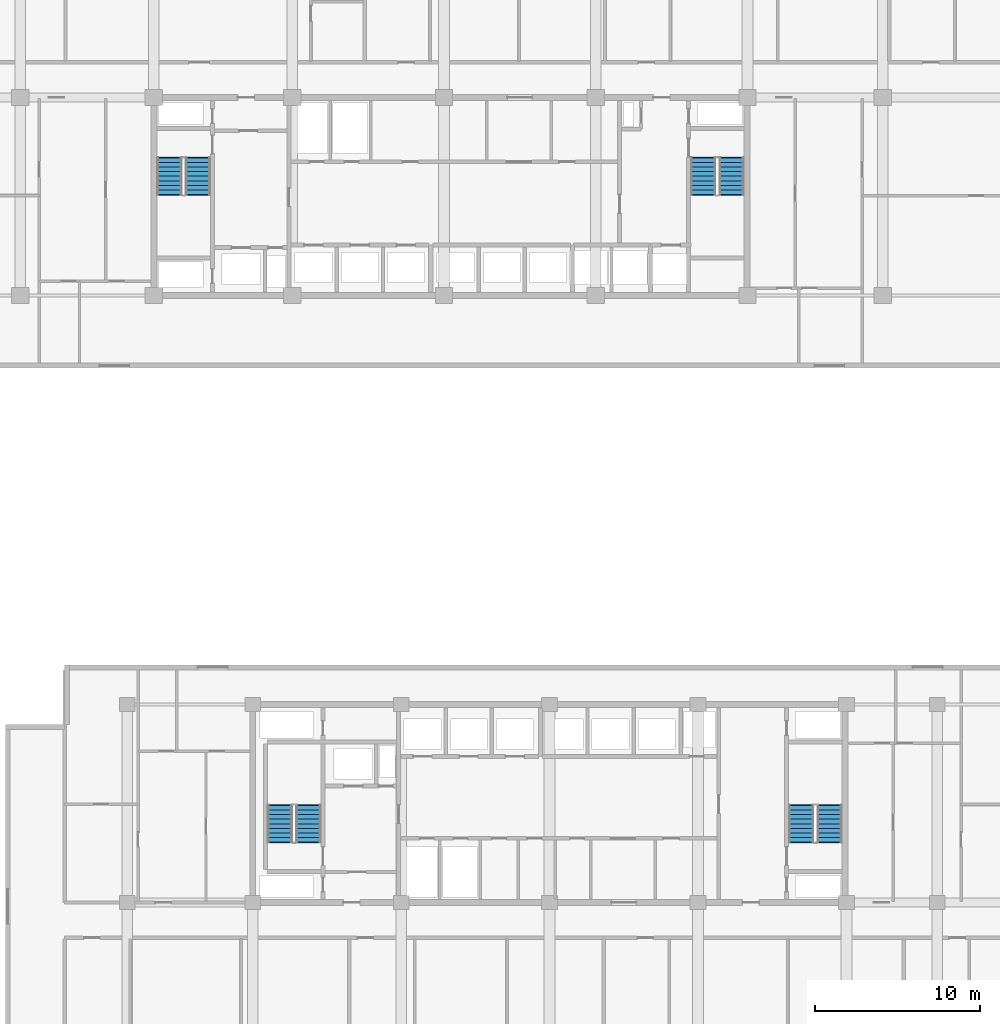
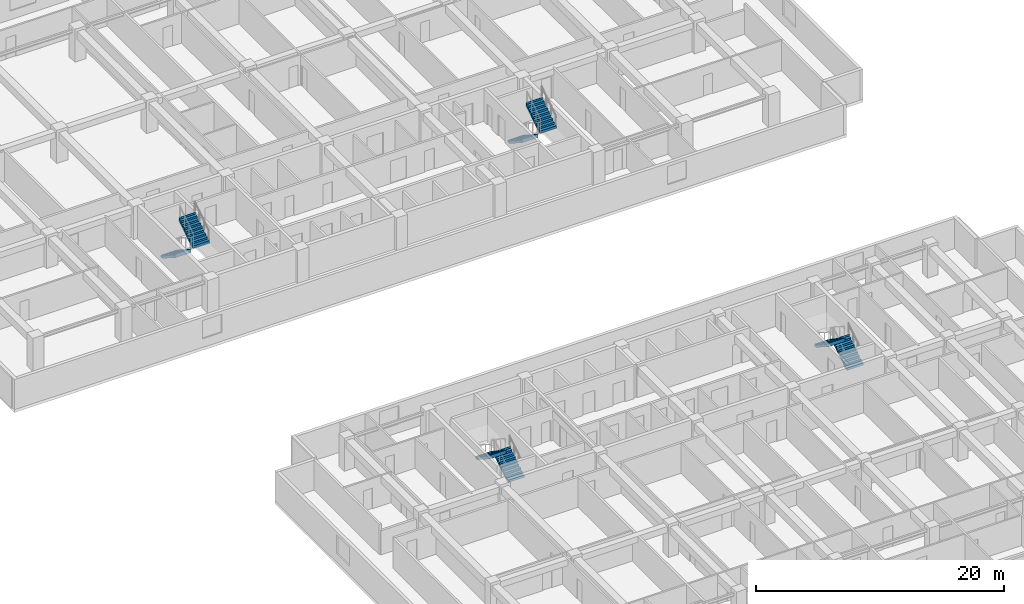
# One storey, part 18 of 23: 8 stair flights, 4 elements without a shape of their own.
"""IFC4 building model written with IfcOpenShell, lengths in metres."""

from ifc_helpers import new_model, si_unit, direction, frame, origin, place, context, subcontext, project, spatial, polyline, outline, extrude, material, type_object, element, aggregate, save


model = new_model("IFC4")

# Units and contexts
model_context = context("Model", 3, precision=1e-05, world=origin(), true_north=direction((0.0, 1.0)))
body_context = subcontext(model_context, "Body", "Model", "MODEL_VIEW")
ifc_project = project(units=[si_unit("LENGTHUNIT", "METRE"), si_unit("AREAUNIT", "SQUARE_METRE"), si_unit("VOLUMEUNIT", "CUBIC_METRE"), si_unit("PLANEANGLEUNIT", "RADIAN"), si_unit("MASSUNIT", "GRAM", prefix="KILO")], contexts=[model_context])

# Site, building, storey
site_placement = place(None, origin())
site = spatial("IfcSite", under=ifc_project, at=site_placement, CompositionType="ELEMENT")
building_placement = place(site_placement, origin())
building = spatial("IfcBuilding", under=site, at=building_placement, Name="Korimba Cascade Residences", CompositionType="ELEMENT")
storey_placement = place(building_placement, frame((0.0, 0.0, 46.75)))
storey = spatial("IfcBuildingStorey", under=building, at=storey_placement, Name="L12", CompositionType="ELEMENT", Elevation=46.75)

# Stair, stair flights
ifc_material = material(Name="Concrete C50/60", Category="concrete")
stair_type_1 = type_object("IfcStairType", Name="STR-W1-18R-1806", PredefinedType="HALF_TURN_STAIR", material=ifc_material)
stair_1_placement = place(storey_placement, origin())
stair_1 = element("IfcStair", 1, at=stair_1_placement, inside=storey, type_object=stair_type_1, Name="L12 Tower 1 West Fire Stair ST-W1", PredefinedType="HALF_TURN_STAIR")
stair_flight_type = type_object("IfcStairFlightType", Name="STF-DL-18R-1806-1520", PredefinedType="STRAIGHT", material=ifc_material)
stair_flight_1_placement = place(storey_placement, frame((77.06005859375, 63.550048828125, 0.0), z_axis=(0.0, 0.0, 1.0), x_axis=(0.0, -1.0, 0.0)))
stair_flight_1 = element("IfcStairFlight", 2, at=stair_flight_1_placement, type_object=stair_flight_type, Name="ST-W1 flight 1", NumberOfRisers=9, NumberOfTreads=8, PredefinedType="STRAIGHT", RiserHeight=0.180555556, TreadLength=0.28, context=body_context, shape_type="SweptSolid", body=[
    extrude(outline(polyline([(-0.0380859375, 0.0), (0.0, 0.1806640625), (0.280029296875, 0.1806640625), (0.280029296875, 0.361083984375), (0.56005859375, 0.361083984375), (0.56005859375, 0.541748046875), (0.840087890625, 0.541748046875), (0.840087890625, 0.72216796875), (1.1201171875, 0.72216796875), (1.1201171875, 0.90283203125), (1.39990234375, 0.90283203125), (1.39990234375, 1.083251953125), (1.679931640625, 1.083251953125), (1.679931640625, 1.263916015625), (1.9599609375, 1.263916015625), (1.9599609375, 1.4443359375), (2.239990234375, 1.4443359375), (2.239990234375, 1.625), (2.278076171875, 1.625), (2.278076171875, 1.26611328125), (0.276611328125, 0.0), (0.276611328125, -0.0380859375), (-0.0380859375, -0.0380859375), (-0.0380859375, 0.0)])), frame((0.0, 0.760009765625, 0.0), z_axis=(0.0, -1.0, 0.0), x_axis=(1.0, 0.0, 0.0)), (0.0, 0.0, 1.0), 1.52001953125),
])
stair_flight_2_placement = place(storey_placement, frame((78.780029296875, 61.31005859375, 1.625), z_axis=(0.0, 0.0, 1.0), x_axis=(0.0, 1.0, 0.0)))
stair_flight_2 = element("IfcStairFlight", 3, at=stair_flight_2_placement, type_object=stair_flight_type, Name="ST-W1 flight 2", NumberOfRisers=9, NumberOfTreads=8, PredefinedType="STRAIGHT", RiserHeight=0.180555556, TreadLength=0.28, context=body_context, shape_type="SweptSolid", body=[
    extrude(outline(polyline([(-0.0380859375, 0.0), (0.0, 0.1806640625), (0.280029296875, 0.1806640625), (0.280029296875, 0.361083984375), (0.56005859375, 0.361083984375), (0.56005859375, 0.541748046875), (0.840087890625, 0.541748046875), (0.840087890625, 0.72216796875), (1.1201171875, 0.72216796875), (1.1201171875, 0.90283203125), (1.39990234375, 0.90283203125), (1.39990234375, 1.083251953125), (1.679931640625, 1.083251953125), (1.679931640625, 1.263916015625), (1.9599609375, 1.263916015625), (1.9599609375, 1.4443359375), (2.239990234375, 1.4443359375), (2.239990234375, 1.625), (2.278076171875, 1.625), (2.278076171875, 1.26611328125), (0.276611328125, 0.0), (0.276611328125, -0.0380859375), (-0.0380859375, -0.0380859375), (-0.0380859375, 0.0)])), frame((0.0, 0.760009765625, 0.0), z_axis=(0.0, -1.0, 0.0), x_axis=(1.0, 0.0, 0.0)), (0.0, 0.0, 1.0), 1.52001953125),
])
aggregate(stair_1, [stair_flight_1, stair_flight_2])

stair_type_2 = type_object("IfcStairType", Name="STR-W2-18R-1806", PredefinedType="HALF_TURN_STAIR", material=ifc_material)
stair_2_placement = place(storey_placement, origin())
stair_2 = element("IfcStair", 4, at=stair_2_placement, inside=storey, type_object=stair_type_2, Name="L12 Tower 1 East Fire Stair ST-W2", PredefinedType="HALF_TURN_STAIR")
stair_flight_3_placement = place(storey_placement, frame((109.419921875, 63.550048828125, 0.0), z_axis=(0.0, 0.0, 1.0), x_axis=(0.0, -1.0, 0.0)))
stair_flight_3 = element("IfcStairFlight", 5, at=stair_flight_3_placement, type_object=stair_flight_type, Name="ST-W2 flight 1", NumberOfRisers=9, NumberOfTreads=8, PredefinedType="STRAIGHT", RiserHeight=0.180555556, TreadLength=0.28, context=body_context, shape_type="SweptSolid", body=[
    extrude(outline(polyline([(-0.0380859375, 0.0), (0.0, 0.1806640625), (0.280029296875, 0.1806640625), (0.280029296875, 0.361083984375), (0.56005859375, 0.361083984375), (0.56005859375, 0.541748046875), (0.840087890625, 0.541748046875), (0.840087890625, 0.72216796875), (1.1201171875, 0.72216796875), (1.1201171875, 0.90283203125), (1.39990234375, 0.90283203125), (1.39990234375, 1.083251953125), (1.679931640625, 1.083251953125), (1.679931640625, 1.263916015625), (1.9599609375, 1.263916015625), (1.9599609375, 1.4443359375), (2.239990234375, 1.4443359375), (2.239990234375, 1.625), (2.278076171875, 1.625), (2.278076171875, 1.26611328125), (0.276611328125, 0.0), (0.276611328125, -0.0380859375), (-0.0380859375, -0.0380859375), (-0.0380859375, 0.0)])), frame((0.0, 0.760009765625, 0.0), z_axis=(0.0, -1.0, 0.0), x_axis=(1.0, 0.0, 0.0)), (0.0, 0.0, 1.0), 1.52001953125),
])
stair_flight_4_placement = place(storey_placement, frame((111.139892578125, 61.31005859375, 1.625), z_axis=(0.0, 0.0, 1.0), x_axis=(0.0, 1.0, 0.0)))
stair_flight_4 = element("IfcStairFlight", 6, at=stair_flight_4_placement, type_object=stair_flight_type, Name="ST-W2 flight 2", NumberOfRisers=9, NumberOfTreads=8, PredefinedType="STRAIGHT", RiserHeight=0.180555556, TreadLength=0.28, context=body_context, shape_type="SweptSolid", body=[
    extrude(outline(polyline([(-0.0380859375, 0.0), (0.0, 0.1806640625), (0.280029296875, 0.1806640625), (0.280029296875, 0.361083984375), (0.56005859375, 0.361083984375), (0.56005859375, 0.541748046875), (0.840087890625, 0.541748046875), (0.840087890625, 0.72216796875), (1.1201171875, 0.72216796875), (1.1201171875, 0.90283203125), (1.39990234375, 0.90283203125), (1.39990234375, 1.083251953125), (1.679931640625, 1.083251953125), (1.679931640625, 1.263916015625), (1.9599609375, 1.263916015625), (1.9599609375, 1.4443359375), (2.239990234375, 1.4443359375), (2.239990234375, 1.625), (2.278076171875, 1.625), (2.278076171875, 1.26611328125), (0.276611328125, 0.0), (0.276611328125, -0.0380859375), (-0.0380859375, -0.0380859375), (-0.0380859375, 0.0)])), frame((0.0, 0.760009765625, 0.0), z_axis=(0.0, -1.0, 0.0), x_axis=(1.0, 0.0, 0.0)), (0.0, 0.0, 1.0), 1.52001953125),
])
aggregate(stair_2, [stair_flight_3, stair_flight_4])

stair_type_3 = type_object("IfcStairType", Name="STR-E1-18R-1806", PredefinedType="HALF_TURN_STAIR", material=ifc_material)
stair_3_placement = place(storey_placement, origin())
stair_3 = element("IfcStair", 7, at=stair_3_placement, inside=storey, type_object=stair_type_3, Name="L12 Tower 2 West Fire Stair ST-E1", PredefinedType="HALF_TURN_STAIR")
stair_flight_5_placement = place(storey_placement, frame((85.47998046875, 22.050048828125, 0.0), z_axis=(0.0, 0.0, 1.0), x_axis=(0.0, 1.0, 0.0)))
stair_flight_5 = element("IfcStairFlight", 8, at=stair_flight_5_placement, type_object=stair_flight_type, Name="ST-E1 flight 1", NumberOfRisers=9, NumberOfTreads=8, PredefinedType="STRAIGHT", RiserHeight=0.180555556, TreadLength=0.28, context=body_context, shape_type="SweptSolid", body=[
    extrude(outline(polyline([(-0.0380859375, 0.0), (0.0, 0.1806640625), (0.280029296875, 0.1806640625), (0.280029296875, 0.361083984375), (0.56005859375, 0.361083984375), (0.56005859375, 0.541748046875), (0.840087890625, 0.541748046875), (0.840087890625, 0.72216796875), (1.1201171875, 0.72216796875), (1.1201171875, 0.90283203125), (1.39990234375, 0.90283203125), (1.39990234375, 1.083251953125), (1.679931640625, 1.083251953125), (1.679931640625, 1.263916015625), (1.9599609375, 1.263916015625), (1.9599609375, 1.4443359375), (2.239990234375, 1.4443359375), (2.239990234375, 1.625), (2.278076171875, 1.625), (2.278076171875, 1.26611328125), (0.276611328125, 0.0), (0.276611328125, -0.0380859375), (-0.0380859375, -0.0380859375), (-0.0380859375, 0.0)])), frame((0.0, 0.760009765625, 0.0), z_axis=(0.0, -1.0, 0.0), x_axis=(1.0, 0.0, 0.0)), (0.0, 0.0, 1.0), 1.52001953125),
])
stair_flight_6_placement = place(storey_placement, frame((83.760009765625, 24.2900390625, 1.625), z_axis=(0.0, 0.0, 1.0), x_axis=(0.0, -1.0, 0.0)))
stair_flight_6 = element("IfcStairFlight", 9, at=stair_flight_6_placement, type_object=stair_flight_type, Name="ST-E1 flight 2", NumberOfRisers=9, NumberOfTreads=8, PredefinedType="STRAIGHT", RiserHeight=0.180555556, TreadLength=0.28, context=body_context, shape_type="SweptSolid", body=[
    extrude(outline(polyline([(-0.0380859375, 0.0), (0.0, 0.1806640625), (0.280029296875, 0.1806640625), (0.280029296875, 0.361083984375), (0.56005859375, 0.361083984375), (0.56005859375, 0.541748046875), (0.840087890625, 0.541748046875), (0.840087890625, 0.72216796875), (1.1201171875, 0.72216796875), (1.1201171875, 0.90283203125), (1.39990234375, 0.90283203125), (1.39990234375, 1.083251953125), (1.679931640625, 1.083251953125), (1.679931640625, 1.263916015625), (1.9599609375, 1.263916015625), (1.9599609375, 1.4443359375), (2.239990234375, 1.4443359375), (2.239990234375, 1.625), (2.278076171875, 1.625), (2.278076171875, 1.26611328125), (0.276611328125, 0.0), (0.276611328125, -0.0380859375), (-0.0380859375, -0.0380859375), (-0.0380859375, 0.0)])), frame((0.0, 0.760009765625, 0.0), z_axis=(0.0, -1.0, 0.0), x_axis=(1.0, 0.0, 0.0)), (0.0, 0.0, 1.0), 1.52001953125),
])
aggregate(stair_3, [stair_flight_5, stair_flight_6])

stair_type_4 = type_object("IfcStairType", Name="STR-E2-18R-1806", PredefinedType="HALF_TURN_STAIR", material=ifc_material)
stair_4_placement = place(storey_placement, origin())
stair_4 = element("IfcStair", 10, at=stair_4_placement, inside=storey, type_object=stair_type_4, Name="L12 Tower 2 East Fire Stair ST-E2", PredefinedType="HALF_TURN_STAIR")
stair_flight_7_placement = place(storey_placement, frame((117.080078125, 22.050048828125, 0.0), z_axis=(0.0, 0.0, 1.0), x_axis=(0.0, 1.0, 0.0)))
stair_flight_7 = element("IfcStairFlight", 11, at=stair_flight_7_placement, type_object=stair_flight_type, Name="ST-E2 flight 1", NumberOfRisers=9, NumberOfTreads=8, PredefinedType="STRAIGHT", RiserHeight=0.180555556, TreadLength=0.28, context=body_context, shape_type="SweptSolid", body=[
    extrude(outline(polyline([(-0.0380859375, 0.0), (0.0, 0.1806640625), (0.280029296875, 0.1806640625), (0.280029296875, 0.361083984375), (0.56005859375, 0.361083984375), (0.56005859375, 0.541748046875), (0.840087890625, 0.541748046875), (0.840087890625, 0.72216796875), (1.1201171875, 0.72216796875), (1.1201171875, 0.90283203125), (1.39990234375, 0.90283203125), (1.39990234375, 1.083251953125), (1.679931640625, 1.083251953125), (1.679931640625, 1.263916015625), (1.9599609375, 1.263916015625), (1.9599609375, 1.4443359375), (2.239990234375, 1.4443359375), (2.239990234375, 1.625), (2.278076171875, 1.625), (2.278076171875, 1.26611328125), (0.276611328125, 0.0), (0.276611328125, -0.0380859375), (-0.0380859375, -0.0380859375), (-0.0380859375, 0.0)])), frame((0.0, 0.760009765625, 0.0), z_axis=(0.0, -1.0, 0.0), x_axis=(1.0, 0.0, 0.0)), (0.0, 0.0, 1.0), 1.52001953125),
])
stair_flight_8_placement = place(storey_placement, frame((115.360107421875, 24.2900390625, 1.625), z_axis=(0.0, 0.0, 1.0), x_axis=(0.0, -1.0, 0.0)))
stair_flight_8 = element("IfcStairFlight", 12, at=stair_flight_8_placement, type_object=stair_flight_type, Name="ST-E2 flight 2", NumberOfRisers=9, NumberOfTreads=8, PredefinedType="STRAIGHT", RiserHeight=0.180555556, TreadLength=0.28, context=body_context, shape_type="SweptSolid", body=[
    extrude(outline(polyline([(-0.0380859375, 0.0), (0.0, 0.1806640625), (0.280029296875, 0.1806640625), (0.280029296875, 0.361083984375), (0.56005859375, 0.361083984375), (0.56005859375, 0.541748046875), (0.840087890625, 0.541748046875), (0.840087890625, 0.72216796875), (1.1201171875, 0.72216796875), (1.1201171875, 0.90283203125), (1.39990234375, 0.90283203125), (1.39990234375, 1.083251953125), (1.679931640625, 1.083251953125), (1.679931640625, 1.263916015625), (1.9599609375, 1.263916015625), (1.9599609375, 1.4443359375), (2.239990234375, 1.4443359375), (2.239990234375, 1.625), (2.278076171875, 1.625), (2.278076171875, 1.26611328125), (0.276611328125, 0.0), (0.276611328125, -0.0380859375), (-0.0380859375, -0.0380859375), (-0.0380859375, 0.0)])), frame((0.0, 0.760009765625, 0.0), z_axis=(0.0, -1.0, 0.0), x_axis=(1.0, 0.0, 0.0)), (0.0, 0.0, 1.0), 1.52001953125),
])
aggregate(stair_4, [stair_flight_7, stair_flight_8])

save(model, "model.ifc")
